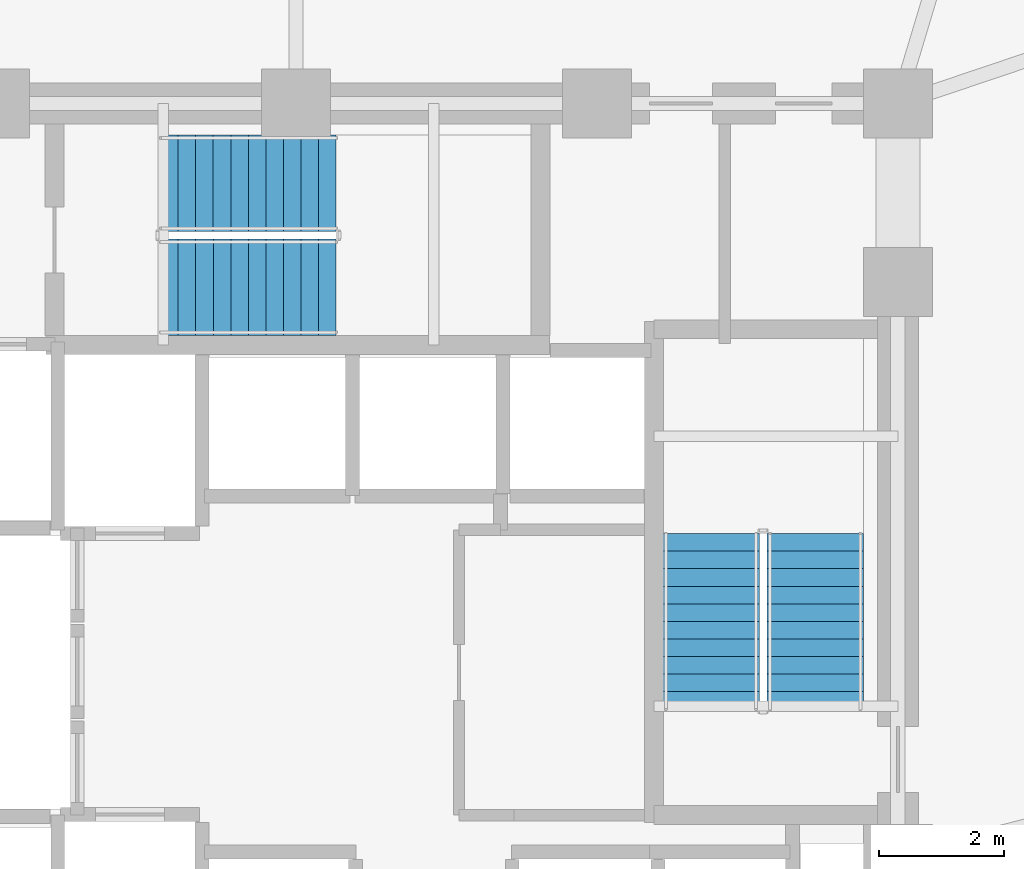
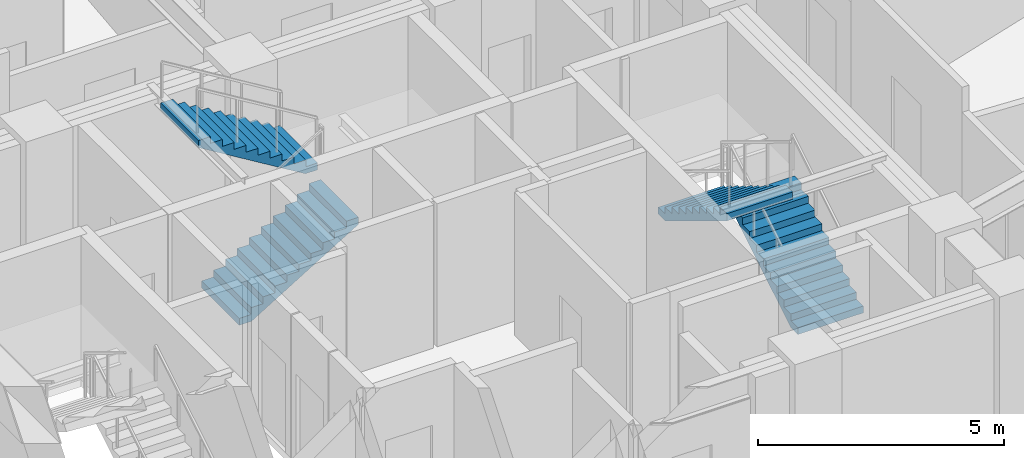
# One storey, part 25 of 30: 4 stair flights, 2 elements without a shape of their own.
"""IFC4 building model written with IfcOpenShell, lengths in metres."""

from ifc_helpers import new_model, si_unit, direction, frame, origin, place, context, subcontext, project, spatial, polyline, outline, extrude, material, type_object, element, aggregate, save


model = new_model("IFC4")

# Units and contexts
model_context = context("Model", 3, precision=1e-05, world=origin(), true_north=direction((0.0, 1.0)))
body_context = subcontext(model_context, "Body", "Model", "MODEL_VIEW")
ifc_project = project(units=[si_unit("LENGTHUNIT", "METRE"), si_unit("AREAUNIT", "SQUARE_METRE"), si_unit("VOLUMEUNIT", "CUBIC_METRE"), si_unit("PLANEANGLEUNIT", "RADIAN"), si_unit("MASSUNIT", "GRAM", prefix="KILO")], contexts=[model_context])

# Site, building, storey
site_placement = place(None, origin())
site = spatial("IfcSite", under=ifc_project, at=site_placement, CompositionType="ELEMENT")
building_placement = place(site_placement, origin())
building = spatial("IfcBuilding", under=site, at=building_placement, Name="Vantalir Tower", CompositionType="ELEMENT")
storey_placement = place(building_placement, frame((0.0, 0.0, 57.0)))
storey = spatial("IfcBuildingStorey", under=building, at=storey_placement, Name="L13", CompositionType="ELEMENT", Elevation=57.0)

# Stair, stair flights
ifc_material = material(Name="Concrete C40/50", Category="concrete")
stair_type = type_object("IfcStairType", Name="STR-CORE-1450", PredefinedType="HALF_TURN_STAIR", material=ifc_material)
stair_1_placement = place(storey_placement, origin())
stair_1 = element("IfcStair", 1, at=stair_1_placement, inside=storey, type_object=stair_type, Name="L13 Core Exit Stair 2", PredefinedType="HALF_TURN_STAIR")
stair_flight_type = type_object("IfcStairFlightType", Name="FLT-CORE-1450", PredefinedType="STRAIGHT", material=ifc_material)
stair_flight_1_placement = place(storey_placement, frame((39.780029296875, 22.7900390625, 0.0), z_axis=(0.0, 0.0, 1.0), x_axis=(0.0, 1.0, 0.0)))
stair_flight_1 = element("IfcStairFlight", 2, at=stair_flight_1_placement, type_object=stair_flight_type, Name="ST2 flight 1", NumberOfRisers=11, NumberOfTreads=10, PredefinedType="STRAIGHT", RiserHeight=0.170454545, TreadLength=0.28, context=body_context, shape_type="SweptSolid", body=[
    extrude(outline(polyline([(0.0, 0.0), (0.0, 0.17041015625), (0.280029296875, 0.17041015625), (0.280029296875, 0.3408203125), (0.56005859375, 0.3408203125), (0.56005859375, 0.511474609375), (0.840087890625, 0.511474609375), (0.840087890625, 0.681884765625), (1.1201171875, 0.681884765625), (1.1201171875, 0.852294921875), (1.39990234375, 0.852294921875), (1.39990234375, 1.022705078125), (1.679931640625, 1.022705078125), (1.679931640625, 1.193115234375), (1.9599609375, 1.193115234375), (1.9599609375, 1.363525390625), (2.239990234375, 1.363525390625), (2.239990234375, 1.5341796875), (2.52001953125, 1.5341796875), (2.52001953125, 1.70458984375), (2.800048828125, 1.70458984375), (2.800048828125, 1.875), (2.800048828125, 1.529052734375), (0.288330078125, 0.0), (0.0, 0.0)])), frame((0.0, 0.77001953125, 0.0), z_axis=(0.0, -1.0, 0.0), x_axis=(1.0, 0.0, 0.0)), (0.0, 0.0, 1.0), 1.5400390625),
])
stair_flight_2_placement = place(storey_placement, frame((38.1201171875, 25.590087890625, 1.875), z_axis=(0.0, 0.0, 1.0), x_axis=(0.0, -1.0, 0.0)))
stair_flight_2 = element("IfcStairFlight", 3, at=stair_flight_2_placement, type_object=stair_flight_type, Name="ST2 flight 2", NumberOfRisers=11, NumberOfTreads=10, PredefinedType="STRAIGHT", RiserHeight=0.170454545, TreadLength=0.28, context=body_context, shape_type="SweptSolid", body=[
    extrude(outline(polyline([(0.0, 0.0), (0.0, 0.17041015625), (0.280029296875, 0.17041015625), (0.280029296875, 0.3408203125), (0.56005859375, 0.3408203125), (0.56005859375, 0.511474609375), (0.840087890625, 0.511474609375), (0.840087890625, 0.681884765625), (1.1201171875, 0.681884765625), (1.1201171875, 0.852294921875), (1.39990234375, 0.852294921875), (1.39990234375, 1.022705078125), (1.679931640625, 1.022705078125), (1.679931640625, 1.193115234375), (1.9599609375, 1.193115234375), (1.9599609375, 1.363525390625), (2.239990234375, 1.363525390625), (2.239990234375, 1.5341796875), (2.52001953125, 1.5341796875), (2.52001953125, 1.70458984375), (2.800048828125, 1.70458984375), (2.800048828125, 1.875), (2.800048828125, 1.529052734375), (0.288330078125, 0.0), (0.0, 0.0)])), frame((0.0, 0.77001953125, 0.0), z_axis=(0.0, -1.0, 0.0), x_axis=(1.0, 0.0, 0.0)), (0.0, 0.0, 1.0), 1.5400390625),
])
aggregate(stair_1, [stair_flight_1, stair_flight_2])

stair_2_placement = place(storey_placement, origin())
stair_2 = element("IfcStair", 4, at=stair_2_placement, inside=storey, type_object=stair_type, Name="L13 Core Exit Stair 3", PredefinedType="HALF_TURN_STAIR")
stair_flight_3_placement = place(storey_placement, frame((29.340087890625, 29.52001953125, 0.0), z_axis=(0.0, 0.0, 1.0), x_axis=(1.0, 0.0, 0.0)))
stair_flight_3 = element("IfcStairFlight", 5, at=stair_flight_3_placement, type_object=stair_flight_type, Name="ST3 flight 1", NumberOfRisers=11, NumberOfTreads=10, PredefinedType="STRAIGHT", RiserHeight=0.170454545, TreadLength=0.28, context=body_context, shape_type="SweptSolid", body=[
    extrude(outline(polyline([(0.0, 0.0), (0.0, 0.17041015625), (0.280029296875, 0.17041015625), (0.280029296875, 0.3408203125), (0.56005859375, 0.3408203125), (0.56005859375, 0.511474609375), (0.840087890625, 0.511474609375), (0.840087890625, 0.681884765625), (1.1201171875, 0.681884765625), (1.1201171875, 0.852294921875), (1.39990234375, 0.852294921875), (1.39990234375, 1.022705078125), (1.679931640625, 1.022705078125), (1.679931640625, 1.193115234375), (1.9599609375, 1.193115234375), (1.9599609375, 1.363525390625), (2.239990234375, 1.363525390625), (2.239990234375, 1.5341796875), (2.52001953125, 1.5341796875), (2.52001953125, 1.70458984375), (2.800048828125, 1.70458984375), (2.800048828125, 1.875), (2.800048828125, 1.529052734375), (0.288330078125, 0.0), (0.0, 0.0)])), frame((0.0, 0.77001953125, 0.0), z_axis=(0.0, -1.0, 0.0), x_axis=(1.0, 0.0, 0.0)), (0.0, 0.0, 1.0), 1.5400390625),
])
stair_flight_4_placement = place(storey_placement, frame((32.139892578125, 31.179931640625, 1.875), z_axis=(0.0, 0.0, 1.0), x_axis=(-1.0, 0.0, 0.0)))
stair_flight_4 = element("IfcStairFlight", 6, at=stair_flight_4_placement, type_object=stair_flight_type, Name="ST3 flight 2", NumberOfRisers=11, NumberOfTreads=10, PredefinedType="STRAIGHT", RiserHeight=0.170454545, TreadLength=0.28, context=body_context, shape_type="SweptSolid", body=[
    extrude(outline(polyline([(0.0, 0.0), (0.0, 0.17041015625), (0.280029296875, 0.17041015625), (0.280029296875, 0.3408203125), (0.56005859375, 0.3408203125), (0.56005859375, 0.511474609375), (0.840087890625, 0.511474609375), (0.840087890625, 0.681884765625), (1.1201171875, 0.681884765625), (1.1201171875, 0.852294921875), (1.39990234375, 0.852294921875), (1.39990234375, 1.022705078125), (1.679931640625, 1.022705078125), (1.679931640625, 1.193115234375), (1.9599609375, 1.193115234375), (1.9599609375, 1.363525390625), (2.239990234375, 1.363525390625), (2.239990234375, 1.5341796875), (2.52001953125, 1.5341796875), (2.52001953125, 1.70458984375), (2.800048828125, 1.70458984375), (2.800048828125, 1.875), (2.800048828125, 1.529052734375), (0.288330078125, 0.0), (0.0, 0.0)])), frame((0.0, 0.77001953125, 0.0), z_axis=(0.0, -1.0, 0.0), x_axis=(1.0, 0.0, 0.0)), (0.0, 0.0, 1.0), 1.5400390625),
])
aggregate(stair_2, [stair_flight_3, stair_flight_4])

save(model, "model.ifc")
